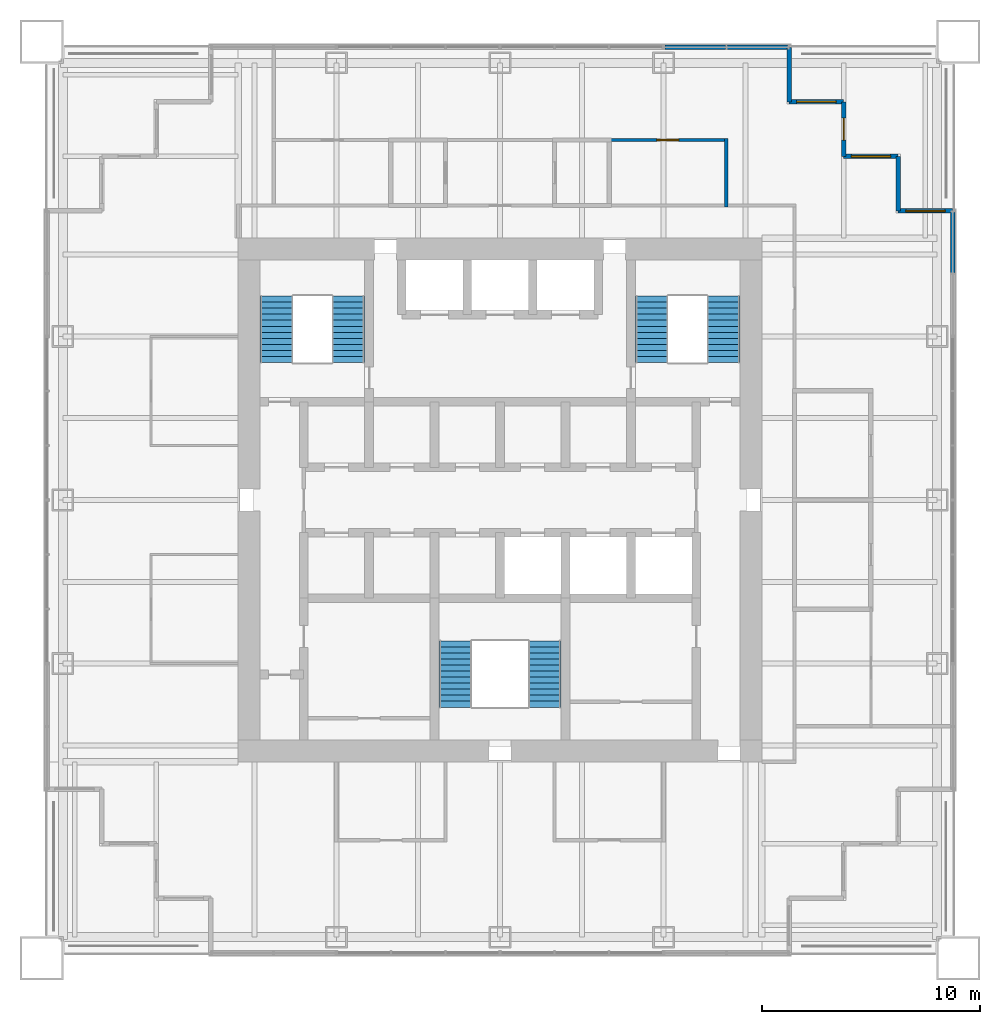
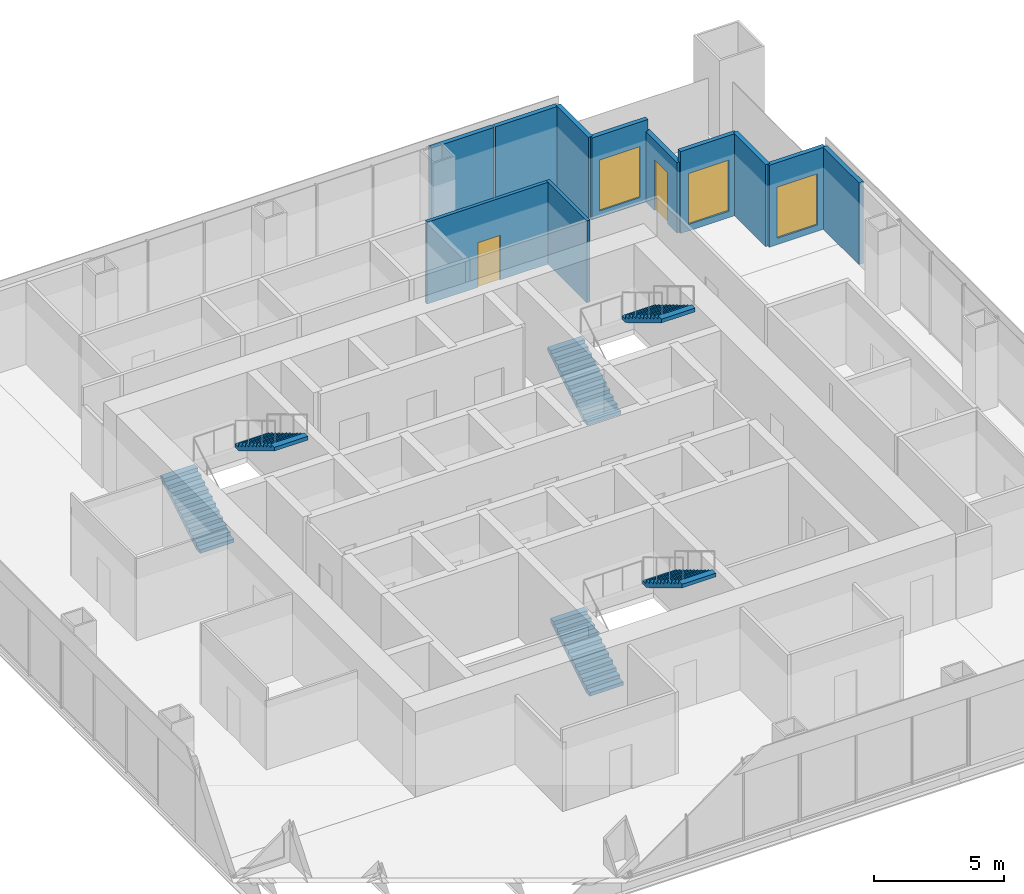
# One storey, part 12 of 14: 11 walls, 6 stair flights, 3 windows, 2 doors, 5 openings, 3 elements without a shape of their own.
"""IFC4 building model written with IfcOpenShell, lengths in metres."""

from ifc_helpers import new_model, si_unit, direction, frame, frame_2d, origin, place, context, subcontext, project, spatial, polyline, rectangle, outline, extrude, material, layer, layer_set, type_object, element, fill, aggregate, save


model = new_model("IFC4")

# Units and contexts
model_context = context("Model", 3, precision=1e-05, world=origin(), true_north=direction((0.0, 1.0)))
body_context = subcontext(model_context, "Body", "Model", "MODEL_VIEW")
ifc_project = project(units=[si_unit("LENGTHUNIT", "METRE"), si_unit("AREAUNIT", "SQUARE_METRE"), si_unit("VOLUMEUNIT", "CUBIC_METRE"), si_unit("PLANEANGLEUNIT", "RADIAN"), si_unit("MASSUNIT", "GRAM", prefix="KILO")], contexts=[model_context])

# Site, building, storey
site_placement = place(None, origin())
site = spatial("IfcSite", under=ifc_project, at=site_placement, CompositionType="ELEMENT")
building_placement = place(site_placement, origin())
building = spatial("IfcBuilding", under=site, at=building_placement, Name="Tarangal Relay Tower", CompositionType="ELEMENT")
storey_placement = place(building_placement, frame((0.0, 0.0, 323.89990234375)))
storey = spatial("IfcBuildingStorey", under=building, at=storey_placement, Name="L72", CompositionType="ELEMENT", Elevation=323.89990234375)

# Wall
ifc_material_1 = material(Name="Black metal clad insulated wall", Category="steel")
ifc_layer_1 = layer(ifc_material_1, 0.199951171875)
ifc_layer_set_1 = layer_set([ifc_layer_1], Name="Corner wall metal clad 200")
wall_type_1 = type_object("IfcWallType", Name="Corner wall metal clad 200", PredefinedType="SOLIDWALL", material=ifc_layer_set_1)
wall_1_placement = place(storey_placement, frame((13.25, 20.75, 0.0), z_axis=(0.0, 0.0, 1.0), x_axis=(0.0, -1.0, 0.0)))
element("IfcWall", 1, at=wall_1_placement, inside=storey, type_object=wall_type_1, Name="Facade wall N facade L72", PredefinedType="SOLIDWALL", context=body_context, shape_type="SweptSolid", body=[
    extrude(rectangle(XDim=2.5, YDim=0.199951171875, at=frame_2d((1.25, 0.0))), origin(), (0.0, 0.0, 1.0), 3.85009765625),
])

# Wall, opening, window
wall_2_placement = place(storey_placement, frame((13.25, 18.25, 0.0), z_axis=(0.0, 0.0, 1.0), x_axis=(1.0, 0.0, 0.0)))
wall_2 = element("IfcWall", 2, at=wall_2_placement, inside=storey, type_object=wall_type_1, Name="Facade wall N facade L72", PredefinedType="SOLIDWALL", context=body_context, shape_type="SweptSolid", body=[
    extrude(rectangle(XDim=2.5, YDim=0.199951171875, at=frame_2d((1.25, 0.0))), origin(), (0.0, 0.0, 1.0), 3.85009765625),
])
opening_1_placement = place(wall_2_placement, frame((0.35009765625, 0.0, 0.300048828125)))
opening_1 = element("IfcOpeningElement", 3, at=opening_1_placement, cuts=wall_2, Name="Opening WN2", PredefinedType="OPENING", context=body_context, shape_type="SweptSolid", body=[
    extrude(rectangle(XDim=1.800048828125, YDim=2.39990234375, at=frame_2d((0.89990234375, 1.199951171875))), frame((0.0, 0.10986328125, 0.0), z_axis=(0.0, -1.0, 0.0), x_axis=(1.0, 0.0, 0.0)), (0.0, 0.0, 1.0), 0.219970703125),
])
ifc_material_2 = material(Name="Dark tinted double glazing in black aluminium frame", Category="aluminium")
window_type = type_object("IfcWindowType", Name="Corner window 1800 x 2400", PartitioningType="SINGLE_PANEL", PredefinedType="WINDOW", material=ifc_material_2)
window_1_placement = place(opening_1_placement, origin())
window_1 = element("IfcWindow", 4, at=window_1_placement, inside=storey, type_object=window_type, Name="Corner window WN2 N facade L72", OverallHeight=2.39990234375, OverallWidth=1.800048828125, PartitioningType="SINGLE_PANEL", PredefinedType="WINDOW", context=body_context, shape_type="SweptSolid", body=[
    extrude(rectangle(XDim=1.800048828125, YDim=2.39990234375, at=frame_2d((0.89990234375, 1.199951171875))), frame((0.0, 0.030029296875, 0.0), z_axis=(0.0, -1.0, 0.0), x_axis=(1.0, 0.0, 0.0)), (0.0, 0.0, 1.0), 0.06005859375),
])
fill(opening_1, window_1)

# Wall, opening, door
wall_3_placement = place(storey_placement, frame((15.75, 18.25, 0.0), z_axis=(0.0, 0.0, 1.0), x_axis=(0.0, -1.0, 0.0)))
wall_3 = element("IfcWall", 5, at=wall_3_placement, inside=storey, type_object=wall_type_1, Name="Facade wall N facade L72", PredefinedType="SOLIDWALL", context=body_context, shape_type="SweptSolid", body=[
    extrude(rectangle(XDim=2.5, YDim=0.199951171875, at=frame_2d((1.25, 0.0))), origin(), (0.0, 0.0, 1.0), 3.316650390625),
])
opening_2_placement = place(wall_3_placement, frame((0.75, 0.0, 0.0)))
opening_2 = element("IfcOpeningElement", 6, at=opening_2_placement, cuts=wall_3, Name="Opening TD1", PredefinedType="OPENING", context=body_context, shape_type="SweptSolid", body=[
    extrude(rectangle(XDim=1.0, YDim=2.39990234375, at=frame_2d((0.5, 1.199951171875))), frame((0.0, 0.10986328125, 0.0), z_axis=(0.0, -1.0, 0.0), x_axis=(1.0, 0.0, 0.0)), (0.0, 0.0, 1.0), 0.219970703125),
])
ifc_material_3 = material(Name="Aluminium glazed door", Category="aluminium")
door_type_1 = type_object("IfcDoorType", Name="Terrace door 1000 x 2400", OperationType="SINGLE_SWING_RIGHT", PredefinedType="DOOR", material=ifc_material_3)
door_1_placement = place(opening_2_placement, origin())
door_1 = element("IfcDoor", 7, at=door_1_placement, inside=storey, type_object=door_type_1, Name="Terrace door TD1 NE L72", OperationType="SINGLE_SWING_RIGHT", OverallHeight=2.39990234375, OverallWidth=1.0, PredefinedType="DOOR", context=body_context, shape_type="SweptSolid", body=[
    extrude(rectangle(XDim=1.0, YDim=2.39990234375, at=frame_2d((0.5, 1.199951171875))), frame((0.0, 0.02490234375, 0.0), z_axis=(0.0, -1.0, 0.0), x_axis=(1.0, 0.0, 0.0)), (0.0, 0.0, 1.0), 0.050048828125),
])
fill(opening_2, door_1)

# Wall, opening, window
wall_4_placement = place(storey_placement, frame((15.75, 15.75, 0.0), z_axis=(0.0, 0.0, 1.0), x_axis=(1.0, 0.0, 0.0)))
wall_4 = element("IfcWall", 8, at=wall_4_placement, inside=storey, type_object=wall_type_1, Name="Facade wall N facade L72", PredefinedType="SOLIDWALL", context=body_context, shape_type="SweptSolid", body=[
    extrude(rectangle(XDim=2.5, YDim=0.199951171875, at=frame_2d((1.25, 0.0))), origin(), (0.0, 0.0, 1.0), 3.85009765625),
])
opening_3_placement = place(wall_4_placement, frame((0.35009765625, 0.0, 0.300048828125)))
opening_3 = element("IfcOpeningElement", 9, at=opening_3_placement, cuts=wall_4, Name="Opening WN2", PredefinedType="OPENING", context=body_context, shape_type="SweptSolid", body=[
    extrude(rectangle(XDim=1.800048828125, YDim=2.39990234375, at=frame_2d((0.89990234375, 1.199951171875))), frame((0.0, 0.10986328125, 0.0), z_axis=(0.0, -1.0, 0.0), x_axis=(1.0, 0.0, 0.0)), (0.0, 0.0, 1.0), 0.219970703125),
])
window_2_placement = place(opening_3_placement, origin())
window_2 = element("IfcWindow", 10, at=window_2_placement, inside=storey, type_object=window_type, Name="Corner window WN2 N facade L72", OverallHeight=2.39990234375, OverallWidth=1.800048828125, PartitioningType="SINGLE_PANEL", PredefinedType="WINDOW", context=body_context, shape_type="SweptSolid", body=[
    extrude(rectangle(XDim=1.800048828125, YDim=2.39990234375, at=frame_2d((0.89990234375, 1.199951171875))), frame((0.0, 0.030029296875, 0.0), z_axis=(0.0, -1.0, 0.0), x_axis=(1.0, 0.0, 0.0)), (0.0, 0.0, 1.0), 0.06005859375),
])
fill(opening_3, window_2)

# Wall
wall_5_placement = place(storey_placement, frame((18.25, 15.75, 0.0), z_axis=(0.0, 0.0, 1.0), x_axis=(0.0, -1.0, 0.0)))
element("IfcWall", 11, at=wall_5_placement, inside=storey, type_object=wall_type_1, Name="Facade wall N facade L72", PredefinedType="SOLIDWALL", context=body_context, shape_type="SweptSolid", body=[
    extrude(rectangle(XDim=2.5, YDim=0.199951171875, at=frame_2d((1.25, 0.0))), origin(), (0.0, 0.0, 1.0), 3.85009765625),
])

# Wall, opening, window
wall_6_placement = place(storey_placement, frame((18.25, 13.25, 0.0), z_axis=(0.0, 0.0, 1.0), x_axis=(1.0, 0.0, 0.0)))
wall_6 = element("IfcWall", 12, at=wall_6_placement, inside=storey, type_object=wall_type_1, Name="Facade wall N facade L72", PredefinedType="SOLIDWALL", context=body_context, shape_type="SweptSolid", body=[
    extrude(rectangle(XDim=2.5, YDim=0.199951171875, at=frame_2d((1.25, 0.0))), origin(), (0.0, 0.0, 1.0), 3.85009765625),
])
opening_4_placement = place(wall_6_placement, frame((0.35009765625, 0.0, 0.300048828125)))
opening_4 = element("IfcOpeningElement", 13, at=opening_4_placement, cuts=wall_6, Name="Opening WN2", PredefinedType="OPENING", context=body_context, shape_type="SweptSolid", body=[
    extrude(rectangle(XDim=1.800048828125, YDim=2.39990234375, at=frame_2d((0.89990234375, 1.199951171875))), frame((0.0, 0.10986328125, 0.0), z_axis=(0.0, -1.0, 0.0), x_axis=(1.0, 0.0, 0.0)), (0.0, 0.0, 1.0), 0.219970703125),
])
window_3_placement = place(opening_4_placement, origin())
window_3 = element("IfcWindow", 14, at=window_3_placement, inside=storey, type_object=window_type, Name="Corner window WN2 N facade L72", OverallHeight=2.39990234375, OverallWidth=1.800048828125, PartitioningType="SINGLE_PANEL", PredefinedType="WINDOW", context=body_context, shape_type="SweptSolid", body=[
    extrude(rectangle(XDim=1.800048828125, YDim=2.39990234375, at=frame_2d((0.89990234375, 1.199951171875))), frame((0.0, 0.030029296875, 0.0), z_axis=(0.0, -1.0, 0.0), x_axis=(1.0, 0.0, 0.0)), (0.0, 0.0, 1.0), 0.06005859375),
])
fill(opening_4, window_3)

# Walls
ifc_layer_2 = layer(ifc_material_1, 0.199951171875)
ifc_layer_set_2 = layer_set([ifc_layer_2], Name="Facade infill wall metal clad 200")
wall_type_2 = type_object("IfcWallType", Name="Facade infill wall metal clad 200", PredefinedType="SOLIDWALL", material=ifc_layer_set_2)
for number, where, z_axis, x_axis, name in (
    (15, (7.56005859375, 20.75, 0.0), (0.0, 0.0, 1.0), (1.0, 0.0, 0.0), "Facade infill wall N facade L72 1.1"),
    (16, (10.405029296875, 20.75, 0.0), (0.0, 0.0, 1.0), (1.0, 0.0, 0.0), "Facade infill wall N facade L72 2.1"),
    (17, (20.75, 13.18994140625, 0.0), (0.0, 0.0, 1.0), (0.0, -1.0, 0.0), "Facade infill wall E facade L72 1.1"),
):
    element("IfcWall", number, at=place(storey_placement, frame(where, z_axis=z_axis, x_axis=x_axis)), inside=storey, type_object=wall_type_2, Name=name, PredefinedType="SOLIDWALL", context=body_context, shape_type="SweptSolid", body=[
        extrude(rectangle(XDim=2.784912109375, YDim=0.199951171875, at=frame_2d((1.392578125, 0.0))), origin(), (0.0, 0.0, 1.0), 3.85009765625),
    ])

# Wall, opening, door
ifc_material_4 = material(Name="Gypsum board on steel studs", Category="steel")
ifc_layer_3 = layer(ifc_material_4, 0.14990234375)
ifc_layer_set_3 = layer_set([ifc_layer_3], Name="Partition 150")
wall_type_3 = type_object("IfcWallType", Name="Partition 150", PredefinedType="PARTITIONING", material=ifc_layer_set_3)
wall_7_placement = place(storey_placement, frame((4.925048828125, 16.5, 0.0), z_axis=(0.0, 0.0, 1.0), x_axis=(1.0, 0.0, 0.0)))
wall_7 = element("IfcWall", 18, at=wall_7_placement, inside=storey, type_object=wall_type_3, Name="Partition PT1 L72", PredefinedType="PARTITIONING", context=body_context, shape_type="SweptSolid", body=[
    extrude(rectangle(XDim=5.52490234375, YDim=0.14990234375, at=frame_2d((2.762451171875, 0.0))), origin(), (0.0, 0.0, 1.0), 3.85009765625),
])
opening_5_placement = place(wall_7_placement, frame((2.262451171875, 0.0, 0.0)))
opening_5 = element("IfcOpeningElement", 19, at=opening_5_placement, cuts=wall_7, Name="Opening D2", PredefinedType="OPENING", context=body_context, shape_type="SweptSolid", body=[
    extrude(rectangle(XDim=1.0, YDim=2.10009765625, at=frame_2d((0.5, 1.050048828125))), frame((0.0, 0.0849609375, 0.0), z_axis=(0.0, -1.0, 0.0), x_axis=(1.0, 0.0, 0.0)), (0.0, 0.0, 1.0), 0.169921875),
])
ifc_material_5 = material(Name="Hardwood door", Category="wood")
door_type_2 = type_object("IfcDoorType", Name="Door 1000 x 2100", OperationType="SINGLE_SWING_LEFT", PredefinedType="DOOR", material=ifc_material_5)
door_2_placement = place(opening_5_placement, origin())
door_2 = element("IfcDoor", 20, at=door_2_placement, inside=storey, type_object=door_type_2, Name="Door D2 to executive office L72-06", OperationType="SINGLE_SWING_LEFT", OverallHeight=2.10009765625, OverallWidth=1.0, PredefinedType="DOOR", context=body_context, shape_type="SweptSolid", body=[
    extrude(rectangle(XDim=1.0, YDim=2.10009765625, at=frame_2d((0.5, 1.050048828125))), frame((0.0, 0.02490234375, 0.0), z_axis=(0.0, -1.0, 0.0), x_axis=(1.0, 0.0, 0.0)), (0.0, 0.0, 1.0), 0.050048828125),
])
fill(opening_5, door_2)

# Wall
wall_8_placement = place(storey_placement, frame((10.375, 13.425048828125, 0.0), z_axis=(0.0, 0.0, 1.0), x_axis=(0.0, 1.0, 0.0)))
element("IfcWall", 21, at=wall_8_placement, inside=storey, type_object=wall_type_3, Name="Partition PT1 L72", PredefinedType="PARTITIONING", context=body_context, shape_type="SweptSolid", body=[
    extrude(rectangle(XDim=3.14990234375, YDim=0.14990234375, at=frame_2d((1.574951171875, 0.0))), origin(), (0.0, 0.0, 1.0), 3.85009765625),
])

# Stair, stair flights
ifc_material_6 = material(Name="Steel ASTM A992 stair flight", Category="steel")
stair_type = type_object("IfcStairType", Name="Core stair 1500", PredefinedType="HALF_TURN_STAIR", material=ifc_material_6)
stair_1_placement = place(storey_placement, origin())
stair_1 = element("IfcStair", 22, at=stair_1_placement, inside=storey, type_object=stair_type, Name="Stair ST-A L72", PredefinedType="HALF_TURN_STAIR")
stair_flight_type = type_object("IfcStairFlightType", Name="Steel stair flight 1500, 12 risers 167 x 277", PredefinedType="STRAIGHT", material=ifc_material_6)
stair_flight_1_placement = place(storey_placement, frame((-10.25, 6.300048828125, 0.0), z_axis=(0.0, 0.0, 1.0), x_axis=(0.0, 1.0, 0.0)))
stair_flight_1 = element("IfcStairFlight", 23, at=stair_flight_1_placement, type_object=stair_flight_type, Name="ST-A flight 1", NumberOfRisers=12, NumberOfTreads=11, PredefinedType="STRAIGHT", RiserHeight=0.166666667, TreadLength=0.277, context=body_context, shape_type="SweptSolid", body=[
    extrude(outline(polyline([(0.0, 0.0), (0.0, 0.166748046875), (0.277099609375, 0.166748046875), (0.277099609375, 0.333251953125), (0.553955078125, 0.333251953125), (0.553955078125, 0.5), (0.8310546875, 0.5), (0.8310546875, 0.666748046875), (1.10791015625, 0.666748046875), (1.10791015625, 0.833251953125), (1.385009765625, 0.833251953125), (1.385009765625, 1.0), (1.662109375, 1.0), (1.662109375, 1.166748046875), (1.93896484375, 1.166748046875), (1.93896484375, 1.333251953125), (2.216064453125, 1.333251953125), (2.216064453125, 1.5), (2.492919921875, 1.5), (2.492919921875, 1.666748046875), (2.77001953125, 1.666748046875), (2.77001953125, 1.833251953125), (3.047119140625, 1.833251953125), (3.047119140625, 2.0), (3.047119140625, 1.658447265625), (0.290771484375, 0.0), (0.0, 0.0)])), frame((0.0, 0.75, 0.0), z_axis=(0.0, -1.0, 0.0), x_axis=(1.0, 0.0, 0.0)), (0.0, 0.0, 1.0), 1.5),
])
stair_flight_2_placement = place(storey_placement, frame((-6.949951171875, 9.346923828125, 2.0), z_axis=(0.0, 0.0, 1.0), x_axis=(0.0, -1.0, 0.0)))
stair_flight_2 = element("IfcStairFlight", 24, at=stair_flight_2_placement, type_object=stair_flight_type, Name="ST-A flight 2", NumberOfRisers=12, NumberOfTreads=11, PredefinedType="STRAIGHT", RiserHeight=0.166666667, TreadLength=0.277, context=body_context, shape_type="SweptSolid", body=[
    extrude(outline(polyline([(0.0, 0.0), (0.0, 0.166748046875), (0.277099609375, 0.166748046875), (0.277099609375, 0.333251953125), (0.553955078125, 0.333251953125), (0.553955078125, 0.5), (0.8310546875, 0.5), (0.8310546875, 0.666748046875), (1.10791015625, 0.666748046875), (1.10791015625, 0.833251953125), (1.385009765625, 0.833251953125), (1.385009765625, 1.0), (1.662109375, 1.0), (1.662109375, 1.166748046875), (1.93896484375, 1.166748046875), (1.93896484375, 1.333251953125), (2.216064453125, 1.333251953125), (2.216064453125, 1.5), (2.492919921875, 1.5), (2.492919921875, 1.666748046875), (2.77001953125, 1.666748046875), (2.77001953125, 1.833251953125), (3.047119140625, 1.833251953125), (3.047119140625, 2.0), (3.047119140625, 1.658447265625), (0.290771484375, 0.0), (0.0, 0.0)])), frame((0.0, 0.75, 0.0), z_axis=(0.0, -1.0, 0.0), x_axis=(1.0, 0.0, 0.0)), (0.0, 0.0, 1.0), 1.5),
])
aggregate(stair_1, [stair_flight_1, stair_flight_2])

stair_2_placement = place(storey_placement, origin())
stair_2 = element("IfcStair", 25, at=stair_2_placement, inside=storey, type_object=stair_type, Name="Stair ST-B L72", PredefinedType="HALF_TURN_STAIR")
stair_flight_3_placement = place(storey_placement, frame((6.949951171875, 6.300048828125, 0.0), z_axis=(0.0, 0.0, 1.0), x_axis=(0.0, 1.0, 0.0)))
stair_flight_3 = element("IfcStairFlight", 26, at=stair_flight_3_placement, type_object=stair_flight_type, Name="ST-B flight 1", NumberOfRisers=12, NumberOfTreads=11, PredefinedType="STRAIGHT", RiserHeight=0.166666667, TreadLength=0.277, context=body_context, shape_type="SweptSolid", body=[
    extrude(outline(polyline([(0.0, 0.0), (0.0, 0.166748046875), (0.277099609375, 0.166748046875), (0.277099609375, 0.333251953125), (0.553955078125, 0.333251953125), (0.553955078125, 0.5), (0.8310546875, 0.5), (0.8310546875, 0.666748046875), (1.10791015625, 0.666748046875), (1.10791015625, 0.833251953125), (1.385009765625, 0.833251953125), (1.385009765625, 1.0), (1.662109375, 1.0), (1.662109375, 1.166748046875), (1.93896484375, 1.166748046875), (1.93896484375, 1.333251953125), (2.216064453125, 1.333251953125), (2.216064453125, 1.5), (2.492919921875, 1.5), (2.492919921875, 1.666748046875), (2.77001953125, 1.666748046875), (2.77001953125, 1.833251953125), (3.047119140625, 1.833251953125), (3.047119140625, 2.0), (3.047119140625, 1.658447265625), (0.290771484375, 0.0), (0.0, 0.0)])), frame((0.0, 0.75, 0.0), z_axis=(0.0, -1.0, 0.0), x_axis=(1.0, 0.0, 0.0)), (0.0, 0.0, 1.0), 1.5),
])
stair_flight_4_placement = place(storey_placement, frame((10.25, 9.346923828125, 2.0), z_axis=(0.0, 0.0, 1.0), x_axis=(0.0, -1.0, 0.0)))
stair_flight_4 = element("IfcStairFlight", 27, at=stair_flight_4_placement, type_object=stair_flight_type, Name="ST-B flight 2", NumberOfRisers=12, NumberOfTreads=11, PredefinedType="STRAIGHT", RiserHeight=0.166666667, TreadLength=0.277, context=body_context, shape_type="SweptSolid", body=[
    extrude(outline(polyline([(0.0, 0.0), (0.0, 0.166748046875), (0.277099609375, 0.166748046875), (0.277099609375, 0.333251953125), (0.553955078125, 0.333251953125), (0.553955078125, 0.5), (0.8310546875, 0.5), (0.8310546875, 0.666748046875), (1.10791015625, 0.666748046875), (1.10791015625, 0.833251953125), (1.385009765625, 0.833251953125), (1.385009765625, 1.0), (1.662109375, 1.0), (1.662109375, 1.166748046875), (1.93896484375, 1.166748046875), (1.93896484375, 1.333251953125), (2.216064453125, 1.333251953125), (2.216064453125, 1.5), (2.492919921875, 1.5), (2.492919921875, 1.666748046875), (2.77001953125, 1.666748046875), (2.77001953125, 1.833251953125), (3.047119140625, 1.833251953125), (3.047119140625, 2.0), (3.047119140625, 1.658447265625), (0.290771484375, 0.0), (0.0, 0.0)])), frame((0.0, 0.75, 0.0), z_axis=(0.0, -1.0, 0.0), x_axis=(1.0, 0.0, 0.0)), (0.0, 0.0, 1.0), 1.5),
])
aggregate(stair_2, [stair_flight_3, stair_flight_4])

stair_3_placement = place(storey_placement, origin())
stair_3 = element("IfcStair", 28, at=stair_3_placement, inside=storey, type_object=stair_type, Name="Stair ST-C L72", PredefinedType="HALF_TURN_STAIR")
stair_flight_5_placement = place(storey_placement, frame((-2.050048828125, -9.5, 0.0), z_axis=(0.0, 0.0, 1.0), x_axis=(0.0, 1.0, 0.0)))
stair_flight_5 = element("IfcStairFlight", 29, at=stair_flight_5_placement, type_object=stair_flight_type, Name="ST-C flight 1", NumberOfRisers=12, NumberOfTreads=11, PredefinedType="STRAIGHT", RiserHeight=0.166666667, TreadLength=0.277, context=body_context, shape_type="SweptSolid", body=[
    extrude(outline(polyline([(0.0, 0.0), (0.0, 0.166748046875), (0.277099609375, 0.166748046875), (0.277099609375, 0.333251953125), (0.553955078125, 0.333251953125), (0.553955078125, 0.5), (0.8310546875, 0.5), (0.8310546875, 0.666748046875), (1.10791015625, 0.666748046875), (1.10791015625, 0.833251953125), (1.385009765625, 0.833251953125), (1.385009765625, 1.0), (1.662109375, 1.0), (1.662109375, 1.166748046875), (1.93896484375, 1.166748046875), (1.93896484375, 1.333251953125), (2.216064453125, 1.333251953125), (2.216064453125, 1.5), (2.492919921875, 1.5), (2.492919921875, 1.666748046875), (2.77001953125, 1.666748046875), (2.77001953125, 1.833251953125), (3.047119140625, 1.833251953125), (3.047119140625, 2.0), (3.047119140625, 1.658447265625), (0.290771484375, 0.0), (0.0, 0.0)])), frame((0.0, 0.75, 0.0), z_axis=(0.0, -1.0, 0.0), x_axis=(1.0, 0.0, 0.0)), (0.0, 0.0, 1.0), 1.5),
])
stair_flight_6_placement = place(storey_placement, frame((2.050048828125, -6.452880859375, 2.0), z_axis=(0.0, 0.0, 1.0), x_axis=(0.0, -1.0, 0.0)))
stair_flight_6 = element("IfcStairFlight", 30, at=stair_flight_6_placement, type_object=stair_flight_type, Name="ST-C flight 2", NumberOfRisers=12, NumberOfTreads=11, PredefinedType="STRAIGHT", RiserHeight=0.166666667, TreadLength=0.277, context=body_context, shape_type="SweptSolid", body=[
    extrude(outline(polyline([(0.0, 0.0), (0.0, 0.166748046875), (0.277099609375, 0.166748046875), (0.277099609375, 0.333251953125), (0.553955078125, 0.333251953125), (0.553955078125, 0.5), (0.8310546875, 0.5), (0.8310546875, 0.666748046875), (1.10791015625, 0.666748046875), (1.10791015625, 0.833251953125), (1.385009765625, 0.833251953125), (1.385009765625, 1.0), (1.662109375, 1.0), (1.662109375, 1.166748046875), (1.93896484375, 1.166748046875), (1.93896484375, 1.333251953125), (2.216064453125, 1.333251953125), (2.216064453125, 1.5), (2.492919921875, 1.5), (2.492919921875, 1.666748046875), (2.77001953125, 1.666748046875), (2.77001953125, 1.833251953125), (3.047119140625, 1.833251953125), (3.047119140625, 2.0), (3.047119140625, 1.658447265625), (0.290771484375, 0.0), (0.0, 0.0)])), frame((0.0, 0.75, 0.0), z_axis=(0.0, -1.0, 0.0), x_axis=(1.0, 0.0, 0.0)), (0.0, 0.0, 1.0), 1.5),
])
aggregate(stair_3, [stair_flight_5, stair_flight_6])

save(model, "model.ifc")
